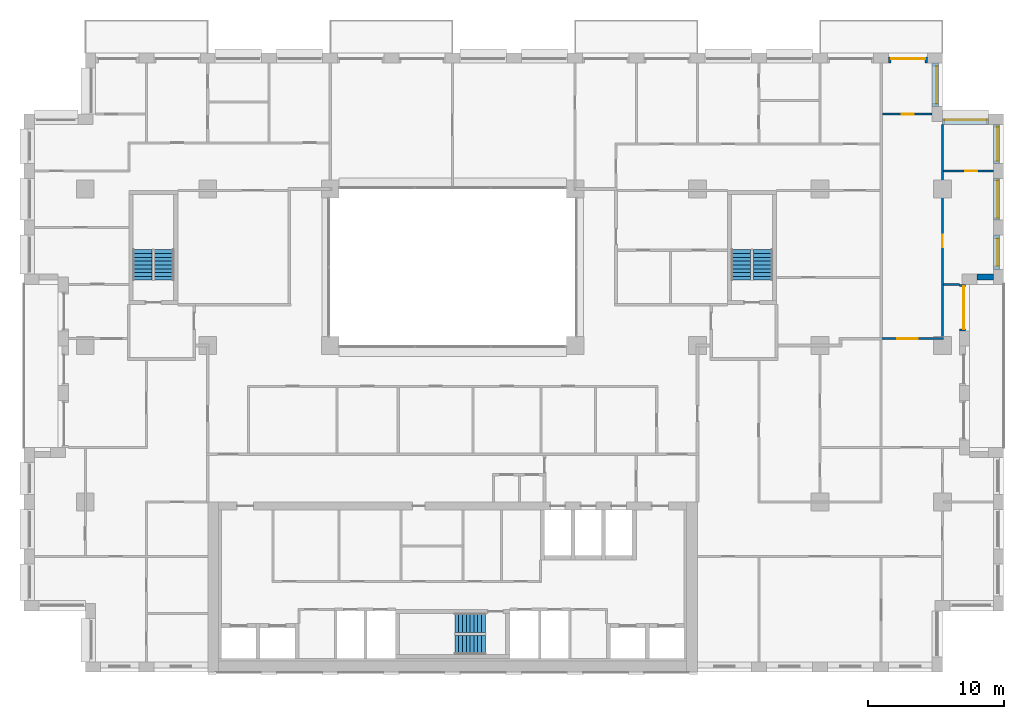
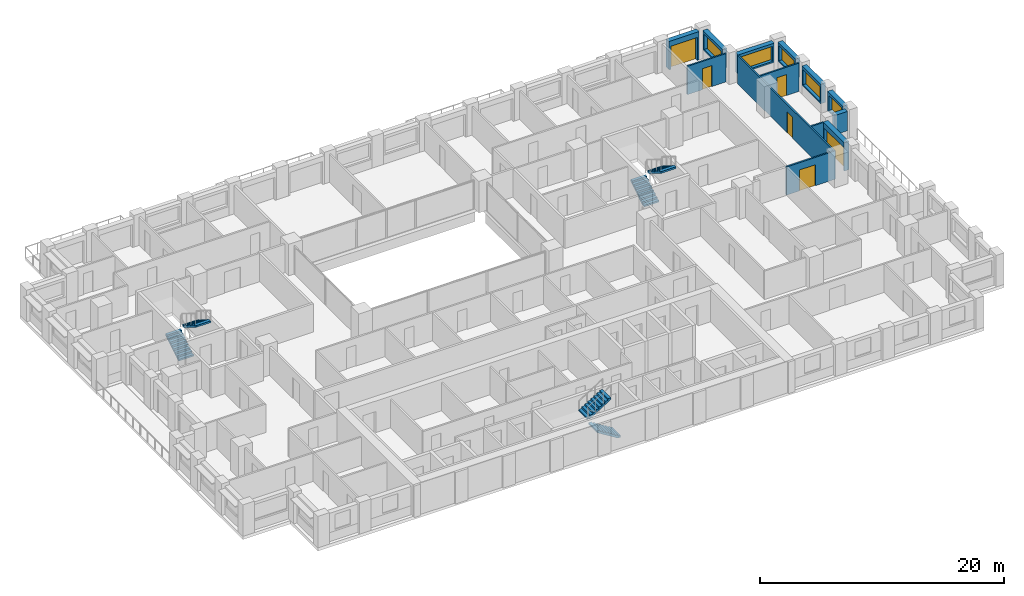
# One storey, part 15 of 16: 13 walls, 6 doors, 6 stair flights, 5 windows, 11 openings, 3 elements without a shape of their own.
"""IFC4 building model written with IfcOpenShell, lengths in metres."""

from ifc_helpers import new_model, si_unit, direction, frame, frame_2d, origin, place, context, subcontext, project, spatial, polyline, rectangle, outline, extrude, material, layer, layer_set, type_object, element, fill, aggregate, save


model = new_model("IFC4")

# Units and contexts
model_context = context("Model", 3, precision=1e-05, world=origin(), true_north=direction((0.0, 1.0)))
body_context = subcontext(model_context, "Body", "Model", "MODEL_VIEW")
ifc_project = project(units=[si_unit("LENGTHUNIT", "METRE"), si_unit("AREAUNIT", "SQUARE_METRE"), si_unit("VOLUMEUNIT", "CUBIC_METRE"), si_unit("PLANEANGLEUNIT", "RADIAN"), si_unit("MASSUNIT", "GRAM", prefix="KILO")], contexts=[model_context])

# Site, building, storey
site_placement = place(None, origin())
site = spatial("IfcSite", under=ifc_project, at=site_placement, CompositionType="ELEMENT")
building_placement = place(site_placement, origin())
building = spatial("IfcBuilding", under=site, at=building_placement, Name="Brigalow Station Residences", CompositionType="ELEMENT")
storey_placement = place(building_placement, frame((0.0, 0.0, 83.550048828125)))
storey = spatial("IfcBuildingStorey", under=building, at=storey_placement, Name="L23", CompositionType="ELEMENT", Elevation=83.550048828125)

# Wall, opening, door
ifc_material_1 = material(Name="Clay brick masonry", Category="masonry")
ifc_layer_1 = layer(ifc_material_1, 0.449951171875)
ifc_layer_set_1 = layer_set([ifc_layer_1], Name="BRICK INFILL WALL 450")
wall_type_1 = type_object("IfcWallType", Name="BRICK INFILL WALL 450", PredefinedType="SOLIDWALL", material=ifc_layer_set_1)
wall_1_placement = place(storey_placement, frame((73.47509765625, 25.050048828125, 0.0), z_axis=(0.0, 0.0, 1.0), x_axis=(0.0, 1.0, 0.0)))
wall_1 = element("IfcWall", 1, at=wall_1_placement, inside=storey, type_object=wall_type_1, Name="L23/ewall/W-L23-16", PredefinedType="SOLIDWALL", context=body_context, shape_type="SweptSolid", body=[
    extrude(rectangle(XDim=3.449951171875, YDim=0.449951171875, at=frame_2d((1.72509765625, 0.0))), origin(), (0.0, 0.0, 1.0), 2.829833984375),
])
opening_1_placement = place(wall_1_placement, frame((0.14990234375, 0.0, 0.0)))
opening_1 = element("IfcOpeningElement", 2, at=opening_1_placement, cuts=wall_1, Name="Opening D-B3150", PredefinedType="OPENING", context=body_context, shape_type="SweptSolid", body=[
    extrude(rectangle(XDim=3.14990234375, YDim=2.300048828125, at=frame_2d((1.574951171875, 1.14990234375))), frame((0.0, 0.23486328125, 0.0), z_axis=(0.0, -1.0, 0.0), x_axis=(1.0, 0.0, 0.0)), (0.0, 0.0, 1.0), 0.469970703125),
])
ifc_material_2 = material(Name="Anodised aluminium frame with double glazing", Category="aluminium")
door_type_1 = type_object("IfcDoorType", Name="BALCONY SLIDING DOOR 3150x2300", OperationType="SLIDING_TO_LEFT", PredefinedType="DOOR", material=ifc_material_2)
door_1_placement = place(opening_1_placement, origin())
door_1 = element("IfcDoor", 3, at=door_1_placement, inside=storey, type_object=door_type_1, Name="L23/balcony-door/W-L23-16", OperationType="SLIDING_TO_LEFT", OverallHeight=2.300048828125, OverallWidth=3.14990234375, PredefinedType="DOOR", context=body_context, shape_type="SweptSolid", body=[
    extrude(rectangle(XDim=3.14990234375, YDim=2.300048828125, at=frame_2d((1.574951171875, 1.14990234375))), frame((0.0, -0.06982421875, 0.0), z_axis=(0.0, -1.0, 0.0), x_axis=(1.0, 0.0, 0.0)), (0.0, 0.0, 1.0), 0.050048828125),
])
fill(opening_1, door_1)

# Wall
wall_2_placement = place(storey_placement, frame((74.550048828125, 29.02490234375, 0.89990234375), z_axis=(0.0, 0.0, 1.0), x_axis=(1.0, 0.0, 0.0)))
element("IfcWall", 4, at=wall_2_placement, inside=storey, type_object=wall_type_1, Name="L23/ewall/W-L23-17", PredefinedType="SOLIDWALL", context=body_context, shape_type="SweptSolid", body=[
    extrude(rectangle(XDim=1.199951171875, YDim=0.449951171875, at=frame_2d((0.60009765625, 0.0))), origin(), (0.0, 0.0, 1.0), 1.929931640625),
])

# Wall, opening, window
wall_3_placement = place(storey_placement, frame((75.97509765625, 29.60009765625, 0.89990234375), z_axis=(0.0, 0.0, 1.0), x_axis=(0.0, 1.0, 0.0)))
wall_3 = element("IfcWall", 5, at=wall_3_placement, inside=storey, type_object=wall_type_1, Name="L23/ewall/W-L23-18", PredefinedType="SOLIDWALL", context=body_context, shape_type="SweptSolid", body=[
    extrude(rectangle(XDim=2.516845703125, YDim=0.449951171875, at=frame_2d((1.25830078125, 0.0))), origin(), (0.0, 0.0, 1.0), 1.929931640625),
])
opening_2_placement = place(wall_3_placement, frame((0.258544921875, 0.0, 0.14990234375)))
opening_2 = element("IfcOpeningElement", 6, at=opening_2_placement, cuts=wall_3, Name="Opening WT-7", PredefinedType="OPENING", context=body_context, shape_type="SweptSolid", body=[
    extrude(rectangle(XDim=2.0, YDim=1.5, at=frame_2d((1.0, 0.75))), frame((0.0, 0.23486328125, 0.0), z_axis=(0.0, -1.0, 0.0), x_axis=(1.0, 0.0, 0.0)), (0.0, 0.0, 1.0), 0.469970703125),
])
ifc_material_3 = material(Name="Anodised aluminium frame with double glazing", Category="aluminium")
window_type_1 = type_object("IfcWindowType", Name="WINDOW 2000x1500", PartitioningType="SINGLE_PANEL", PredefinedType="WINDOW", material=ifc_material_3)
window_1_placement = place(opening_2_placement, origin())
window_1 = element("IfcWindow", 7, at=window_1_placement, inside=storey, type_object=window_type_1, Name="L23/window/W-L23-18", OverallHeight=1.5, OverallWidth=2.0, PartitioningType="SINGLE_PANEL", PredefinedType="WINDOW", context=body_context, shape_type="SweptSolid", body=[
    extrude(rectangle(XDim=2.0, YDim=1.5, at=frame_2d((1.0, 0.75))), frame((0.0, -0.06494140625, 0.0), z_axis=(0.0, -1.0, 0.0), x_axis=(1.0, 0.0, 0.0)), (0.0, 0.0, 1.0), 0.06005859375),
])
fill(opening_2, window_1)

wall_4_placement = place(storey_placement, frame((75.97509765625, 33.217041015625, 0.89990234375), z_axis=(0.0, 0.0, 1.0), x_axis=(0.0, 1.0, 0.0)))
wall_4 = element("IfcWall", 8, at=wall_4_placement, inside=storey, type_object=wall_type_1, Name="L23/ewall/W-L23-19", PredefinedType="SOLIDWALL", context=body_context, shape_type="SweptSolid", body=[
    extrude(rectangle(XDim=3.06591796875, YDim=0.449951171875, at=frame_2d((1.532958984375, 0.0))), origin(), (0.0, 0.0, 1.0), 1.929931640625),
])
opening_3_placement = place(wall_4_placement, frame((0.157958984375, 0.0, 0.14990234375)))
opening_3 = element("IfcOpeningElement", 9, at=opening_3_placement, cuts=wall_4, Name="Opening WT-3", PredefinedType="OPENING", context=body_context, shape_type="SweptSolid", body=[
    extrude(rectangle(XDim=2.75, YDim=1.5, at=frame_2d((1.375, 0.75))), frame((0.0, 0.23486328125, 0.0), z_axis=(0.0, -1.0, 0.0), x_axis=(1.0, 0.0, 0.0)), (0.0, 0.0, 1.0), 0.469970703125),
])
ifc_material_4 = material(Name="Anodised aluminium frame with double glazing", Category="aluminium")
window_type_2 = type_object("IfcWindowType", Name="WINDOW 2750x1500", PartitioningType="SINGLE_PANEL", PredefinedType="WINDOW", material=ifc_material_4)
window_2_placement = place(opening_3_placement, origin())
window_2 = element("IfcWindow", 10, at=window_2_placement, inside=storey, type_object=window_type_2, Name="L23/window/W-L23-19", OverallHeight=1.5, OverallWidth=2.75, PartitioningType="SINGLE_PANEL", PredefinedType="WINDOW", context=body_context, shape_type="SweptSolid", body=[
    extrude(rectangle(XDim=2.75, YDim=1.5, at=frame_2d((1.375, 0.75))), frame((0.0, -0.06494140625, 0.0), z_axis=(0.0, -1.0, 0.0), x_axis=(1.0, 0.0, 0.0)), (0.0, 0.0, 1.0), 0.06005859375),
])
fill(opening_3, window_2)

wall_5_placement = place(storey_placement, frame((75.97509765625, 37.383056640625, 0.89990234375), z_axis=(0.0, 0.0, 1.0), x_axis=(0.0, 1.0, 0.0)))
wall_5 = element("IfcWall", 11, at=wall_5_placement, inside=storey, type_object=wall_type_1, Name="L23/ewall/W-L23-20", PredefinedType="SOLIDWALL", context=body_context, shape_type="SweptSolid", body=[
    extrude(rectangle(XDim=2.866943359375, YDim=0.449951171875, at=frame_2d((1.43359375, 0.0))), origin(), (0.0, 0.0, 1.0), 1.929931640625),
])
opening_4_placement = place(wall_5_placement, frame((0.18359375, 0.0, 0.14990234375)))
opening_4 = element("IfcOpeningElement", 12, at=opening_4_placement, cuts=wall_5, Name="Opening WT-5", PredefinedType="OPENING", context=body_context, shape_type="SweptSolid", body=[
    extrude(rectangle(XDim=2.5, YDim=1.5, at=frame_2d((1.25, 0.75))), frame((0.0, 0.23486328125, 0.0), z_axis=(0.0, -1.0, 0.0), x_axis=(1.0, 0.0, 0.0)), (0.0, 0.0, 1.0), 0.469970703125),
])
ifc_material_5 = material(Name="Anodised aluminium frame with double glazing", Category="aluminium")
window_type_3 = type_object("IfcWindowType", Name="WINDOW 2500x1500", PartitioningType="SINGLE_PANEL", PredefinedType="WINDOW", material=ifc_material_5)
window_3_placement = place(opening_4_placement, origin())
window_3 = element("IfcWindow", 13, at=window_3_placement, inside=storey, type_object=window_type_3, Name="L23/window/W-L23-20", OverallHeight=1.5, OverallWidth=2.5, PartitioningType="SINGLE_PANEL", PredefinedType="WINDOW", context=body_context, shape_type="SweptSolid", body=[
    extrude(rectangle(XDim=2.5, YDim=1.5, at=frame_2d((1.25, 0.75))), frame((0.0, -0.06494140625, 0.0), z_axis=(0.0, -1.0, 0.0), x_axis=(1.0, 0.0, 0.0)), (0.0, 0.0, 1.0), 0.06005859375),
])
fill(opening_4, window_3)

wall_6_placement = place(storey_placement, frame((75.39990234375, 40.47509765625, 0.89990234375), z_axis=(0.0, 0.0, 1.0), x_axis=(-1.0, 0.0, 0.0)))
wall_6 = element("IfcWall", 14, at=wall_6_placement, inside=storey, type_object=wall_type_1, Name="L23/ewall/W-L23-21", PredefinedType="SOLIDWALL", context=body_context, shape_type="SweptSolid", body=[
    extrude(rectangle(XDim=3.39990234375, YDim=0.449951171875, at=frame_2d((1.699951171875, 0.0))), origin(), (0.0, 0.0, 1.0), 1.929931640625),
])
opening_5_placement = place(wall_6_placement, frame((0.14990234375, 0.0, 0.14990234375)))
opening_5 = element("IfcOpeningElement", 15, at=opening_5_placement, cuts=wall_6, Name="Opening WT-8", PredefinedType="OPENING", context=body_context, shape_type="SweptSolid", body=[
    extrude(rectangle(XDim=3.10009765625, YDim=1.5, at=frame_2d((1.550048828125, 0.75))), frame((0.0, 0.23486328125, 0.0), z_axis=(0.0, -1.0, 0.0), x_axis=(1.0, 0.0, 0.0)), (0.0, 0.0, 1.0), 0.469970703125),
])
ifc_material_6 = material(Name="Anodised aluminium frame with double glazing", Category="aluminium")
window_type_4 = type_object("IfcWindowType", Name="WINDOW 3100x1500", PartitioningType="SINGLE_PANEL", PredefinedType="WINDOW", material=ifc_material_6)
window_4_placement = place(opening_5_placement, origin())
window_4 = element("IfcWindow", 16, at=window_4_placement, inside=storey, type_object=window_type_4, Name="L23/window/W-L23-21", OverallHeight=1.5, OverallWidth=3.10009765625, PartitioningType="SINGLE_PANEL", PredefinedType="WINDOW", context=body_context, shape_type="SweptSolid", body=[
    extrude(rectangle(XDim=3.10009765625, YDim=1.5, at=frame_2d((1.550048828125, 0.75))), frame((0.0, -0.06494140625, 0.0), z_axis=(0.0, -1.0, 0.0), x_axis=(1.0, 0.0, 0.0)), (0.0, 0.0, 1.0), 0.06005859375),
])
fill(opening_5, window_4)

wall_7_placement = place(storey_placement, frame((71.47509765625, 41.550048828125, 0.89990234375), z_axis=(0.0, 0.0, 1.0), x_axis=(0.0, 1.0, 0.0)))
wall_7 = element("IfcWall", 17, at=wall_7_placement, inside=storey, type_object=wall_type_1, Name="L23/ewall/W-L23-22", PredefinedType="SOLIDWALL", context=body_context, shape_type="SweptSolid", body=[
    extrude(rectangle(XDim=3.199951171875, YDim=0.449951171875, at=frame_2d((1.60009765625, 0.0))), origin(), (0.0, 0.0, 1.0), 1.929931640625),
])
opening_6_placement = place(wall_7_placement, frame((0.22509765625, 0.0, 0.14990234375)))
opening_6 = element("IfcOpeningElement", 18, at=opening_6_placement, cuts=wall_7, Name="Opening WT-3", PredefinedType="OPENING", context=body_context, shape_type="SweptSolid", body=[
    extrude(rectangle(XDim=2.75, YDim=1.5, at=frame_2d((1.375, 0.75))), frame((0.0, 0.23486328125, 0.0), z_axis=(0.0, -1.0, 0.0), x_axis=(1.0, 0.0, 0.0)), (0.0, 0.0, 1.0), 0.469970703125),
])
window_5_placement = place(opening_6_placement, origin())
window_5 = element("IfcWindow", 19, at=window_5_placement, inside=storey, type_object=window_type_2, Name="L23/window/W-L23-22", OverallHeight=1.5, OverallWidth=2.75, PartitioningType="SINGLE_PANEL", PredefinedType="WINDOW", context=body_context, shape_type="SweptSolid", body=[
    extrude(rectangle(XDim=2.75, YDim=1.5, at=frame_2d((1.375, 0.75))), frame((0.0, -0.06494140625, 0.0), z_axis=(0.0, -1.0, 0.0), x_axis=(1.0, 0.0, 0.0)), (0.0, 0.0, 1.0), 0.06005859375),
])
fill(opening_6, window_5)

# Wall, opening, door
wall_8_placement = place(storey_placement, frame((70.89990234375, 44.97509765625, 0.0), z_axis=(0.0, 0.0, 1.0), x_axis=(-1.0, 0.0, 0.0)))
wall_8 = element("IfcWall", 20, at=wall_8_placement, inside=storey, type_object=wall_type_1, Name="L23/ewall/W-L23-23", PredefinedType="SOLIDWALL", context=body_context, shape_type="SweptSolid", body=[
    extrude(rectangle(XDim=2.849853515625, YDim=0.449951171875, at=frame_2d((1.4248046875, 0.0))), origin(), (0.0, 0.0, 1.0), 2.829833984375),
])
opening_7_placement = place(wall_8_placement, frame((0.175048828125, 0.0, 0.0)))
opening_7 = element("IfcOpeningElement", 21, at=opening_7_placement, cuts=wall_8, Name="Opening D-B2500", PredefinedType="OPENING", context=body_context, shape_type="SweptSolid", body=[
    extrude(rectangle(XDim=2.5, YDim=2.300048828125, at=frame_2d((1.25, 1.14990234375))), frame((0.0, 0.23486328125, 0.0), z_axis=(0.0, -1.0, 0.0), x_axis=(1.0, 0.0, 0.0)), (0.0, 0.0, 1.0), 0.469970703125),
])
ifc_material_7 = material(Name="Anodised aluminium frame with double glazing", Category="aluminium")
door_type_2 = type_object("IfcDoorType", Name="BALCONY SLIDING DOOR 2500x2300", OperationType="SLIDING_TO_LEFT", PredefinedType="DOOR", material=ifc_material_7)
door_2_placement = place(opening_7_placement, origin())
door_2 = element("IfcDoor", 22, at=door_2_placement, inside=storey, type_object=door_type_2, Name="L23/balcony-door/W-L23-23", OperationType="SLIDING_TO_LEFT", OverallHeight=2.300048828125, OverallWidth=2.5, PredefinedType="DOOR", context=body_context, shape_type="SweptSolid", body=[
    extrude(rectangle(XDim=2.5, YDim=2.300048828125, at=frame_2d((1.25, 1.14990234375))), frame((0.0, -0.06982421875, 0.0), z_axis=(0.0, -1.0, 0.0), x_axis=(1.0, 0.0, 0.0)), (0.0, 0.0, 1.0), 0.050048828125),
])
fill(opening_7, door_2)

ifc_material_8 = material(Name="Plasterboard on steel stud partition", Category="steel")
ifc_layer_2 = layer(ifc_material_8, 0.14990234375)
ifc_layer_set_2 = layer_set([ifc_layer_2], Name="FLAT PARTITION 150")
wall_type_2 = type_object("IfcWallType", Name="FLAT PARTITION 150", PredefinedType="PARTITIONING", material=ifc_layer_set_2)
wall_9_placement = place(storey_placement, frame((67.425048828125, 24.5, 0.0), z_axis=(0.0, 0.0, 1.0), x_axis=(1.0, 0.0, 0.0)))
wall_9 = element("IfcWall", 23, at=wall_9_placement, inside=storey, type_object=wall_type_2, Name="PW-2A20", PredefinedType="PARTITIONING", context=body_context, shape_type="SweptSolid", body=[
    extrude(rectangle(XDim=4.64990234375, YDim=0.14990234375, at=frame_2d((2.324951171875, 0.0))), origin(), (0.0, 0.0, 1.0), 2.829833984375),
])
opening_8_placement = place(wall_9_placement, frame((1.25, 0.0, 0.0)))
opening_8 = element("IfcOpeningElement", 24, at=opening_8_placement, cuts=wall_9, Name="Opening D-2A45", PredefinedType="OPENING", context=body_context, shape_type="SweptSolid", body=[
    extrude(rectangle(XDim=1.5, YDim=2.10009765625, at=frame_2d((0.75, 1.050048828125))), frame((0.0, 0.0849609375, 0.0), z_axis=(0.0, -1.0, 0.0), x_axis=(1.0, 0.0, 0.0)), (0.0, 0.0, 1.0), 0.169921875),
])
ifc_material_9 = material(Name="Solid-core timber door leaf", Category="wood")
door_type_3 = type_object("IfcDoorType", Name="INTERNAL DOUBLE DOOR 1500 x 2100", OperationType="DOUBLE_DOOR_SINGLE_SWING", PredefinedType="DOOR", material=ifc_material_9)
door_3_placement = place(opening_8_placement, frame((1.5, 0.0, 0.0), z_axis=(0.0, 0.0, 1.0), x_axis=(-1.0, 0.0, 0.0)))
door_3 = element("IfcDoor", 25, at=door_3_placement, inside=storey, type_object=door_type_3, Name="D-2A45", OperationType="DOUBLE_DOOR_SINGLE_SWING", OverallHeight=2.10009765625, OverallWidth=1.5, PredefinedType="DOOR", context=body_context, shape_type="SweptSolid", body=[
    extrude(rectangle(XDim=1.5, YDim=2.10009765625, at=frame_2d((0.75, 1.050048828125))), frame((0.0, 0.02490234375, 0.0), z_axis=(0.0, -1.0, 0.0), x_axis=(1.0, 0.0, 0.0)), (0.0, 0.0, 1.0), 0.050048828125),
])
fill(opening_8, door_3)

# Wall
wall_10_placement = place(storey_placement, frame((72.074951171875, 28.5, 0.0), z_axis=(0.0, 0.0, 1.0), x_axis=(1.0, 0.0, 0.0)))
element("IfcWall", 26, at=wall_10_placement, inside=storey, type_object=wall_type_2, Name="PW-2A23", PredefinedType="PARTITIONING", context=body_context, shape_type="SweptSolid", body=[
    extrude(rectangle(XDim=1.175048828125, YDim=0.14990234375, at=frame_2d((0.58740234375, 0.0))), origin(), (0.0, 0.0, 1.0), 2.829833984375),
])

# Wall, opening, door
wall_11_placement = place(storey_placement, frame((72.074951171875, 36.8330078125, 0.0), z_axis=(0.0, 0.0, 1.0), x_axis=(1.0, 0.0, 0.0)))
wall_11 = element("IfcWall", 27, at=wall_11_placement, inside=storey, type_object=wall_type_2, Name="PW-2A26", PredefinedType="PARTITIONING", context=body_context, shape_type="SweptSolid", body=[
    extrude(rectangle(XDim=3.675048828125, YDim=0.14990234375, at=frame_2d((1.83740234375, 0.0))), origin(), (0.0, 0.0, 1.0), 2.829833984375),
])
opening_9_placement = place(wall_11_placement, frame((1.60009765625, 0.0, 0.0)))
opening_9 = element("IfcOpeningElement", 28, at=opening_9_placement, cuts=wall_11, Name="Opening D-2A47", PredefinedType="OPENING", context=body_context, shape_type="SweptSolid", body=[
    extrude(rectangle(XDim=0.89990234375, YDim=2.10009765625, at=frame_2d((0.449951171875, 1.050048828125))), frame((0.0, 0.0849609375, 0.0), z_axis=(0.0, -1.0, 0.0), x_axis=(1.0, 0.0, 0.0)), (0.0, 0.0, 1.0), 0.169921875),
])
ifc_material_10 = material(Name="Solid-core timber door leaf", Category="wood")
door_type_4 = type_object("IfcDoorType", Name="INTERNAL DOOR 900 x 2100", OperationType="SINGLE_SWING_LEFT", PredefinedType="DOOR", material=ifc_material_10)
door_4_placement = place(opening_9_placement, origin())
door_4 = element("IfcDoor", 29, at=door_4_placement, inside=storey, type_object=door_type_4, Name="D-2A47", OperationType="SINGLE_SWING_RIGHT", OverallHeight=2.10009765625, OverallWidth=0.89990234375, PredefinedType="DOOR", context=body_context, shape_type="SweptSolid", body=[
    extrude(rectangle(XDim=0.89990234375, YDim=2.10009765625, at=frame_2d((0.449951171875, 1.050048828125))), frame((0.0, 0.02490234375, 0.0), z_axis=(0.0, -1.0, 0.0), x_axis=(1.0, 0.0, 0.0)), (0.0, 0.0, 1.0), 0.050048828125),
])
fill(opening_9, door_4)

wall_12_placement = place(storey_placement, frame((67.60009765625, 41.0, 0.0), z_axis=(0.0, 0.0, 1.0), x_axis=(1.0, 0.0, 0.0)))
wall_12 = element("IfcWall", 30, at=wall_12_placement, inside=storey, type_object=wall_type_2, Name="PW-2A32", PredefinedType="PARTITIONING", context=body_context, shape_type="SweptSolid", body=[
    extrude(rectangle(XDim=3.64990234375, YDim=0.14990234375, at=frame_2d((1.824951171875, 0.0))), origin(), (0.0, 0.0, 1.0), 2.829833984375),
])
opening_10_placement = place(wall_12_placement, frame((1.39990234375, 0.0, 0.0)))
opening_10 = element("IfcOpeningElement", 31, at=opening_10_placement, cuts=wall_12, Name="Opening D-2A48", PredefinedType="OPENING", context=body_context, shape_type="SweptSolid", body=[
    extrude(rectangle(XDim=0.89990234375, YDim=2.10009765625, at=frame_2d((0.449951171875, 1.050048828125))), frame((0.0, 0.0849609375, 0.0), z_axis=(0.0, -1.0, 0.0), x_axis=(1.0, 0.0, 0.0)), (0.0, 0.0, 1.0), 0.169921875),
])
door_5_placement = place(opening_10_placement, origin())
door_5 = element("IfcDoor", 32, at=door_5_placement, inside=storey, type_object=door_type_4, Name="D-2A48", OperationType="SINGLE_SWING_RIGHT", OverallHeight=2.10009765625, OverallWidth=0.89990234375, PredefinedType="DOOR", context=body_context, shape_type="SweptSolid", body=[
    extrude(rectangle(XDim=0.89990234375, YDim=2.10009765625, at=frame_2d((0.449951171875, 1.050048828125))), frame((0.0, 0.02490234375, 0.0), z_axis=(0.0, -1.0, 0.0), x_axis=(1.0, 0.0, 0.0)), (0.0, 0.0, 1.0), 0.050048828125),
])
fill(opening_10, door_5)

wall_13_placement = place(storey_placement, frame((72.0, 24.574951171875, 0.0), z_axis=(0.0, 0.0, 1.0), x_axis=(0.0, 1.0, 0.0)))
wall_13 = element("IfcWall", 33, at=wall_13_placement, inside=storey, type_object=wall_type_2, Name="PW-2A71", PredefinedType="PARTITIONING", context=body_context, shape_type="SweptSolid", body=[
    extrude(rectangle(XDim=15.675048828125, YDim=0.14990234375, at=frame_2d((7.83740234375, 0.0))), origin(), (0.0, 0.0, 1.0), 2.829833984375),
])
opening_11_placement = place(wall_13_placement, frame((6.64990234375, 0.0, 0.0)))
opening_11 = element("IfcOpeningElement", 34, at=opening_11_placement, cuts=wall_13, Name="Opening D-2A46", PredefinedType="OPENING", context=body_context, shape_type="SweptSolid", body=[
    extrude(rectangle(XDim=0.89990234375, YDim=2.10009765625, at=frame_2d((0.449951171875, 1.050048828125))), frame((0.0, 0.0849609375, 0.0), z_axis=(0.0, -1.0, 0.0), x_axis=(1.0, 0.0, 0.0)), (0.0, 0.0, 1.0), 0.169921875),
])
door_6_placement = place(opening_11_placement, frame((0.89990234375, 0.0, 0.0), z_axis=(0.0, 0.0, 1.0), x_axis=(-1.0, 0.0, 0.0)))
door_6 = element("IfcDoor", 35, at=door_6_placement, inside=storey, type_object=door_type_4, Name="D-2A46", OperationType="SINGLE_SWING_RIGHT", OverallHeight=2.10009765625, OverallWidth=0.89990234375, PredefinedType="DOOR", context=body_context, shape_type="SweptSolid", body=[
    extrude(rectangle(XDim=0.89990234375, YDim=2.10009765625, at=frame_2d((0.449951171875, 1.050048828125))), frame((0.0, 0.02490234375, 0.0), z_axis=(0.0, -1.0, 0.0), x_axis=(1.0, 0.0, 0.0)), (0.0, 0.0, 1.0), 0.050048828125),
])
fill(opening_11, door_6)

# Stair, stair flights
ifc_material_11 = material(Name="Concrete C50", Category="concrete")
stair_type = type_object("IfcStairType", Name="EXIT STAIR 1400 2 FLIGHT", PredefinedType="HALF_TURN_STAIR", material=ifc_material_11)
stair_1_placement = place(storey_placement, origin())
stair_1 = element("IfcStair", 36, at=stair_1_placement, inside=storey, type_object=stair_type, Name="EXIT STAIR S2 L23", PredefinedType="HALF_TURN_STAIR")
ifc_material_12 = material(Name="Concrete C50", Category="concrete")
stair_flight_type = type_object("IfcStairFlightType", Name="STAIR FLIGHT 1400", PredefinedType="STRAIGHT", material=ifc_material_12)
stair_flight_1_placement = place(storey_placement, frame((38.39990234375, 2.0, 0.0), z_axis=(0.0, 0.0, 1.0), x_axis=(-1.0, 0.0, 0.0)))
stair_flight_1 = element("IfcStairFlight", 37, at=stair_flight_1_placement, type_object=stair_flight_type, Name="ST-2 flight 1", NumberOfRisers=9, NumberOfTreads=8, PredefinedType="STRAIGHT", RiserHeight=0.175, TreadLength=0.28, context=body_context, shape_type="SweptSolid", body=[
    extrude(outline(polyline([(0.0, 0.0), (0.0, 0.175048828125), (0.280029296875, 0.175048828125), (0.280029296875, 0.35009765625), (0.56005859375, 0.35009765625), (0.56005859375, 0.52490234375), (0.840087890625, 0.52490234375), (0.840087890625, 0.699951171875), (1.1201171875, 0.699951171875), (1.1201171875, 0.875), (1.39990234375, 0.875), (1.39990234375, 1.050048828125), (1.679931640625, 1.050048828125), (1.679931640625, 1.22509765625), (1.9599609375, 1.22509765625), (1.9599609375, 1.39990234375), (2.239990234375, 1.39990234375), (2.239990234375, 1.574951171875), (2.239990234375, 1.22314453125), (0.28271484375, 0.0), (0.0, 0.0)])), frame((0.0, 0.699951171875, 0.0), z_axis=(0.0, -1.0, 0.0), x_axis=(1.0, 0.0, 0.0)), (0.0, 0.0, 1.0), 1.39990234375),
])
stair_flight_2_placement = place(storey_placement, frame((36.159912109375, 3.60009765625, 1.574951171875), z_axis=(0.0, 0.0, 1.0), x_axis=(1.0, 0.0, 0.0)))
stair_flight_2 = element("IfcStairFlight", 38, at=stair_flight_2_placement, type_object=stair_flight_type, Name="ST-2 flight 2", NumberOfRisers=9, NumberOfTreads=8, PredefinedType="STRAIGHT", RiserHeight=0.175, TreadLength=0.28, context=body_context, shape_type="SweptSolid", body=[
    extrude(outline(polyline([(0.0, 0.0), (0.0, 0.175048828125), (0.280029296875, 0.175048828125), (0.280029296875, 0.35009765625), (0.56005859375, 0.35009765625), (0.56005859375, 0.52490234375), (0.840087890625, 0.52490234375), (0.840087890625, 0.699951171875), (1.1201171875, 0.699951171875), (1.1201171875, 0.875), (1.39990234375, 0.875), (1.39990234375, 1.050048828125), (1.679931640625, 1.050048828125), (1.679931640625, 1.22509765625), (1.9599609375, 1.22509765625), (1.9599609375, 1.39990234375), (2.239990234375, 1.39990234375), (2.239990234375, 1.574951171875), (2.239990234375, 1.22314453125), (0.28271484375, 0.0), (0.0, 0.0)])), frame((0.0, 0.699951171875, 0.0), z_axis=(0.0, -1.0, 0.0), x_axis=(1.0, 0.0, 0.0)), (0.0, 0.0, 1.0), 1.39990234375),
])
aggregate(stair_1, [stair_flight_1, stair_flight_2])

stair_2_placement = place(storey_placement, origin())
stair_2 = element("IfcStair", 39, at=stair_2_placement, inside=storey, type_object=stair_type, Name="EXIT STAIR S1 L23", PredefinedType="HALF_TURN_STAIR")
stair_flight_3_placement = place(storey_placement, frame((13.199951171875, 28.800048828125, 0.0), z_axis=(0.0, 0.0, 1.0), x_axis=(0.0, 1.0, 0.0)))
stair_flight_3 = element("IfcStairFlight", 40, at=stair_flight_3_placement, type_object=stair_flight_type, Name="ST-1 flight 1", NumberOfRisers=9, NumberOfTreads=8, PredefinedType="STRAIGHT", RiserHeight=0.175, TreadLength=0.28, context=body_context, shape_type="SweptSolid", body=[
    extrude(outline(polyline([(0.0, 0.0), (0.0, 0.175048828125), (0.280029296875, 0.175048828125), (0.280029296875, 0.35009765625), (0.56005859375, 0.35009765625), (0.56005859375, 0.52490234375), (0.840087890625, 0.52490234375), (0.840087890625, 0.699951171875), (1.1201171875, 0.699951171875), (1.1201171875, 0.875), (1.39990234375, 0.875), (1.39990234375, 1.050048828125), (1.679931640625, 1.050048828125), (1.679931640625, 1.22509765625), (1.9599609375, 1.22509765625), (1.9599609375, 1.39990234375), (2.239990234375, 1.39990234375), (2.239990234375, 1.574951171875), (2.239990234375, 1.22314453125), (0.28271484375, 0.0), (0.0, 0.0)])), frame((0.0, 0.699951171875, 0.0), z_axis=(0.0, -1.0, 0.0), x_axis=(1.0, 0.0, 0.0)), (0.0, 0.0, 1.0), 1.39990234375),
])
stair_flight_4_placement = place(storey_placement, frame((14.800048828125, 31.0400390625, 1.574951171875), z_axis=(0.0, 0.0, 1.0), x_axis=(0.0, -1.0, 0.0)))
stair_flight_4 = element("IfcStairFlight", 41, at=stair_flight_4_placement, type_object=stair_flight_type, Name="ST-1 flight 2", NumberOfRisers=9, NumberOfTreads=8, PredefinedType="STRAIGHT", RiserHeight=0.175, TreadLength=0.28, context=body_context, shape_type="SweptSolid", body=[
    extrude(outline(polyline([(0.0, 0.0), (0.0, 0.175048828125), (0.280029296875, 0.175048828125), (0.280029296875, 0.35009765625), (0.56005859375, 0.35009765625), (0.56005859375, 0.52490234375), (0.840087890625, 0.52490234375), (0.840087890625, 0.699951171875), (1.1201171875, 0.699951171875), (1.1201171875, 0.875), (1.39990234375, 0.875), (1.39990234375, 1.050048828125), (1.679931640625, 1.050048828125), (1.679931640625, 1.22509765625), (1.9599609375, 1.22509765625), (1.9599609375, 1.39990234375), (2.239990234375, 1.39990234375), (2.239990234375, 1.574951171875), (2.239990234375, 1.22314453125), (0.28271484375, 0.0), (0.0, 0.0)])), frame((0.0, 0.699951171875, 0.0), z_axis=(0.0, -1.0, 0.0), x_axis=(1.0, 0.0, 0.0)), (0.0, 0.0, 1.0), 1.39990234375),
])
aggregate(stair_2, [stair_flight_3, stair_flight_4])

stair_3_placement = place(storey_placement, origin())
stair_3 = element("IfcStair", 42, at=stair_3_placement, inside=storey, type_object=stair_type, Name="EXIT STAIR S3 L23", PredefinedType="HALF_TURN_STAIR")
stair_flight_5_placement = place(storey_placement, frame((57.199951171875, 28.800048828125, 0.0), z_axis=(0.0, 0.0, 1.0), x_axis=(0.0, 1.0, 0.0)))
stair_flight_5 = element("IfcStairFlight", 43, at=stair_flight_5_placement, type_object=stair_flight_type, Name="ST-3 flight 1", NumberOfRisers=9, NumberOfTreads=8, PredefinedType="STRAIGHT", RiserHeight=0.175, TreadLength=0.28, context=body_context, shape_type="SweptSolid", body=[
    extrude(outline(polyline([(0.0, 0.0), (0.0, 0.175048828125), (0.280029296875, 0.175048828125), (0.280029296875, 0.35009765625), (0.56005859375, 0.35009765625), (0.56005859375, 0.52490234375), (0.840087890625, 0.52490234375), (0.840087890625, 0.699951171875), (1.1201171875, 0.699951171875), (1.1201171875, 0.875), (1.39990234375, 0.875), (1.39990234375, 1.050048828125), (1.679931640625, 1.050048828125), (1.679931640625, 1.22509765625), (1.9599609375, 1.22509765625), (1.9599609375, 1.39990234375), (2.239990234375, 1.39990234375), (2.239990234375, 1.574951171875), (2.239990234375, 1.22314453125), (0.28271484375, 0.0), (0.0, 0.0)])), frame((0.0, 0.699951171875, 0.0), z_axis=(0.0, -1.0, 0.0), x_axis=(1.0, 0.0, 0.0)), (0.0, 0.0, 1.0), 1.39990234375),
])
stair_flight_6_placement = place(storey_placement, frame((58.800048828125, 31.0400390625, 1.574951171875), z_axis=(0.0, 0.0, 1.0), x_axis=(0.0, -1.0, 0.0)))
stair_flight_6 = element("IfcStairFlight", 44, at=stair_flight_6_placement, type_object=stair_flight_type, Name="ST-3 flight 2", NumberOfRisers=9, NumberOfTreads=8, PredefinedType="STRAIGHT", RiserHeight=0.175, TreadLength=0.28, context=body_context, shape_type="SweptSolid", body=[
    extrude(outline(polyline([(0.0, 0.0), (0.0, 0.175048828125), (0.280029296875, 0.175048828125), (0.280029296875, 0.35009765625), (0.56005859375, 0.35009765625), (0.56005859375, 0.52490234375), (0.840087890625, 0.52490234375), (0.840087890625, 0.699951171875), (1.1201171875, 0.699951171875), (1.1201171875, 0.875), (1.39990234375, 0.875), (1.39990234375, 1.050048828125), (1.679931640625, 1.050048828125), (1.679931640625, 1.22509765625), (1.9599609375, 1.22509765625), (1.9599609375, 1.39990234375), (2.239990234375, 1.39990234375), (2.239990234375, 1.574951171875), (2.239990234375, 1.22314453125), (0.28271484375, 0.0), (0.0, 0.0)])), frame((0.0, 0.699951171875, 0.0), z_axis=(0.0, -1.0, 0.0), x_axis=(1.0, 0.0, 0.0)), (0.0, 0.0, 1.0), 1.39990234375),
])
aggregate(stair_3, [stair_flight_5, stair_flight_6])

save(model, "model.ifc")
